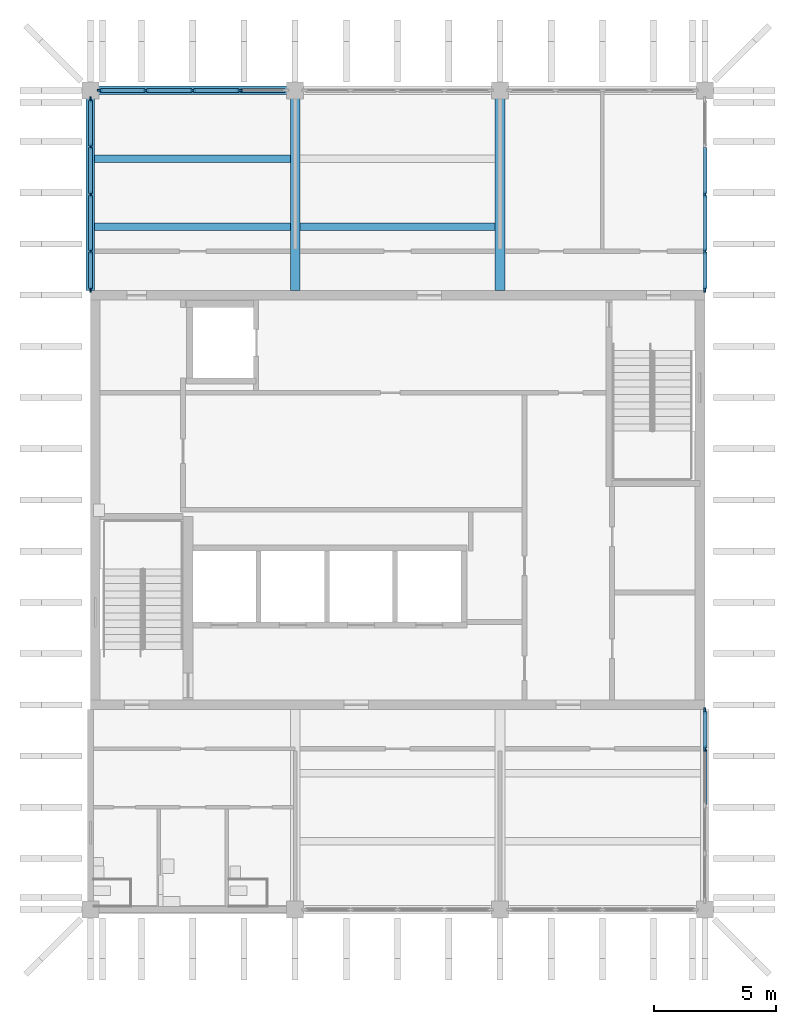
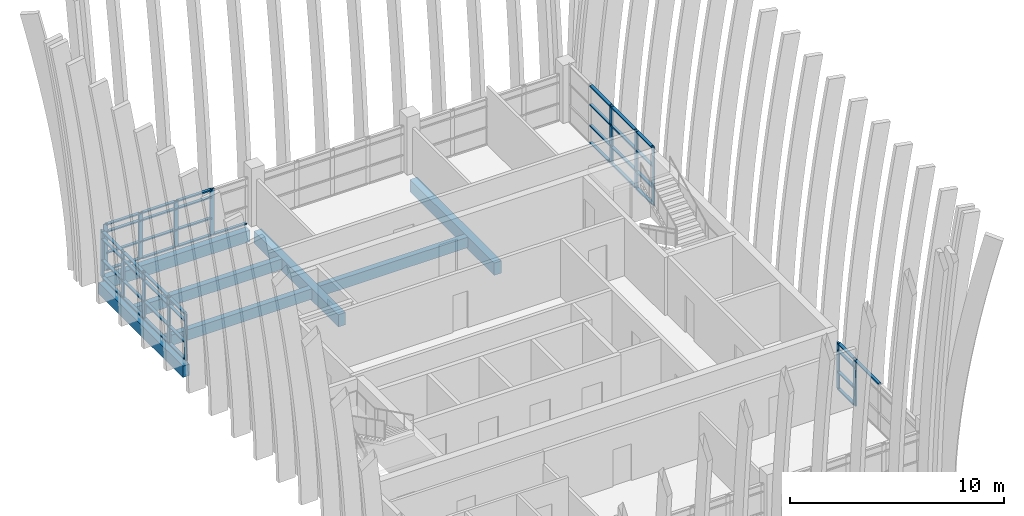
# One storey, part 2 of 19: 60 members, 7 beams, 4 elements without a shape of their own.
"""IFC4 building model written with IfcOpenShell, lengths in metres."""

from ifc_helpers import new_model, si_unit, direction, frame, origin, origin_2d, place, context, subcontext, project, spatial, rectangle, extrude, material, layer, layer_set, material_profile, profile_set, type_object, element, aggregate, save


model = new_model("IFC4")

# Units and contexts
model_context = context("Model", 3, precision=1e-05, world=origin(), true_north=direction((0.0, 1.0)))
body_context = subcontext(model_context, "Body", "Model", "MODEL_VIEW")
ifc_project = project(units=[si_unit("LENGTHUNIT", "METRE"), si_unit("AREAUNIT", "SQUARE_METRE"), si_unit("VOLUMEUNIT", "CUBIC_METRE"), si_unit("PLANEANGLEUNIT", "RADIAN"), si_unit("MASSUNIT", "GRAM", prefix="KILO")], contexts=[model_context])

# Site, building, storey
site_placement = place(None, origin())
site = spatial("IfcSite", under=ifc_project, at=site_placement, CompositionType="ELEMENT")
building_placement = place(site_placement, origin())
building = spatial("IfcBuilding", under=site, at=building_placement, Name="Rulbaag Community and Learning Centre", CompositionType="ELEMENT")
storey_placement = place(building_placement, frame((0.0, 0.0, 57.60009765625)))
storey = spatial("IfcBuildingStorey", under=building, at=storey_placement, Name="L15", CompositionType="ELEMENT", Elevation=57.60009765625)

# Beams
ifc_material_1 = material(Name="Concrete M40", Category="concrete")
ifc_material_profile_1 = material_profile(ifc_material_1, rectangle(XDim=0.39990234375, YDim=0.699951171875, at=origin_2d()), Name="RB400x700")
ifc_profile_set_1 = profile_set([ifc_material_profile_1], Name="Concrete M40")
beam_type_1 = type_object("IfcBeamType", Name="B13 Tower floor beam, upper zone 400x700 Concrete M40", PredefinedType="BEAM", material=ifc_profile_set_1)
for number, where, z_axis, x_axis, name in (
    (1, (151.199951171875, 109.39990234375, -0.650146484375), (0.0, 1.0, 0.0), (-1.0, 0.0, 0.0), "BM-L15-19N-19O"),
    (2, (159.60009765625, 109.39990234375, -0.650146484375), (0.0, 1.0, 0.0), (-1.0, 0.0, 0.0), "BM-L15-20N-20O"),
):
    element("IfcBeam", number, at=place(storey_placement, frame(where, z_axis=z_axis, x_axis=x_axis)), inside=storey, type_object=beam_type_1, Name=name, PredefinedType="BEAM", context=body_context, shape_type="SweptSolid", body=[
        extrude(rectangle(XDim=0.39990234375, YDim=0.699951171875, at=origin_2d()), origin(), (0.0, 0.0, 1.0), 7.8701171875),
    ])
ifc_material_profile_2 = material_profile(ifc_material_1, rectangle(XDim=0.35009765625, YDim=0.64990234375, at=origin_2d()), Name="RB350x650")
ifc_profile_set_2 = profile_set([ifc_material_profile_2], Name="Concrete M40")
beam_type_2 = type_object("IfcBeamType", Name="B14 Tower edge beam, upper zone 350x650 Concrete M40", PredefinedType="BEAM", material=ifc_profile_set_2)
beam_1_placement = place(storey_placement, frame((142.800048828125, 109.39990234375, -0.625), z_axis=(0.0, 1.0, 0.0), x_axis=(-1.0, 0.0, 0.0)))
element("IfcBeam", 3, at=beam_1_placement, inside=storey, type_object=beam_type_2, Name="BM-L15-18N-18O", PredefinedType="BEAM", context=body_context, shape_type="SweptSolid", body=[
    extrude(rectangle(XDim=0.35009765625, YDim=0.64990234375, at=origin_2d()), origin(), (0.0, 0.0, 1.0), 7.8701171875),
])
beam_2_placement = place(storey_placement, frame((143.1298828125, 117.60009765625, -0.625), z_axis=(1.0, 0.0, 0.0), x_axis=(0.0, 1.0, 0.0)))
element("IfcBeam", 4, at=beam_2_placement, inside=storey, type_object=beam_type_2, Name="BM-L15-18O-19O", PredefinedType="BEAM", context=body_context, shape_type="SweptSolid", body=[
    extrude(rectangle(XDim=0.35009765625, YDim=0.64990234375, at=origin_2d()), origin(), (0.0, 0.0, 1.0), 7.740234375),
])
ifc_material_profile_3 = material_profile(ifc_material_1, rectangle(XDim=0.300048828125, YDim=0.60009765625, at=origin_2d()), Name="RB300x600")
ifc_profile_set_3 = profile_set([ifc_material_profile_3], Name="Concrete M40")
beam_type_3 = type_object("IfcBeamType", Name="B30 Secondary joist 300x600 Concrete M40", PredefinedType="BEAM", material=ifc_profile_set_3)
for number, where, z_axis, x_axis, name in (
    (5, (142.97509765625, 112.0, -0.60009765625), (1.0, 0.0, 0.0), (0.0, 1.0, 0.0), "BM-JS-L15-18N-1"),
    (6, (142.97509765625, 114.800048828125, -0.60009765625), (1.0, 0.0, 0.0), (0.0, 1.0, 0.0), "BM-JS-L15-18N-2"),
):
    element("IfcBeam", number, at=place(storey_placement, frame(where, z_axis=z_axis, x_axis=x_axis)), inside=storey, type_object=beam_type_3, Name=name, PredefinedType="BEAM", context=body_context, shape_type="SweptSolid", body=[
        extrude(rectangle(XDim=0.300048828125, YDim=0.60009765625, at=origin_2d()), origin(), (0.0, 0.0, 1.0), 8.02490234375),
    ])
beam_3_placement = place(storey_placement, frame((151.39990234375, 112.0, -0.60009765625), z_axis=(1.0, 0.0, 0.0), x_axis=(0.0, 1.0, 0.0)))
element("IfcBeam", 7, at=beam_3_placement, inside=storey, type_object=beam_type_3, Name="BM-JS-L15-19N-1", PredefinedType="BEAM", context=body_context, shape_type="SweptSolid", body=[
    extrude(rectangle(XDim=0.300048828125, YDim=0.60009765625, at=origin_2d()), origin(), (0.0, 0.0, 1.0), 8.0),
])

# Curtain wall, members
ifc_material_2 = material(Name="Aluminium", Category="aluminium")
ifc_layer = layer(ifc_material_2, 0.14990234375)
ifc_layer_set = layer_set([ifc_layer], Name="CW-C")
curtain_wall_type = type_object("IfcCurtainWallType", Name="CW-C", PredefinedType="USERDEFINED", material=ifc_layer_set)
curtain_wall_1_placement = place(storey_placement, origin())
curtain_wall_1 = element("IfcCurtainWall", 8, at=curtain_wall_1_placement, inside=storey, type_object=curtain_wall_type, Name="GC-L15-03", ObjectType="UNITISED CURTAIN WALL", PredefinedType="USERDEFINED")
ifc_material_3 = material(Name="Aluminium mullion", Category="aluminium")
ifc_material_profile_4 = material_profile(ifc_material_3, rectangle(XDim=0.070068359375, YDim=0.22509765625, at=origin_2d()), Name="AL 70x225")
ifc_profile_set_4 = profile_set([ifc_material_profile_4], Name="Aluminium mullion")
member_type_1 = type_object("IfcMemberType", Name="CW-C-MUL", PredefinedType="MULLION", material=ifc_profile_set_4)
member_1_placement = place(storey_placement, frame((143.18505859375, 117.60009765625, 0.0), z_axis=(0.0, 0.0, 1.0), x_axis=(0.0, 1.0, 0.0)))
member_1 = element("IfcMember", 9, at=member_1_placement, type_object=member_type_1, Name="GC mullion 1", PredefinedType="MULLION", context=body_context, shape_type="SweptSolid", body=[
    extrude(rectangle(XDim=0.070068359375, YDim=0.22509765625, at=origin_2d()), origin(), (0.0, 0.0, 1.0), 2.64990234375),
])
member_2_placement = place(storey_placement, frame((145.074951171875, 117.60009765625, 0.0), z_axis=(0.0, 0.0, 1.0), x_axis=(0.0, 1.0, 0.0)))
member_2 = element("IfcMember", 10, at=member_2_placement, type_object=member_type_1, Name="GC mullion 2", PredefinedType="MULLION", context=body_context, shape_type="SweptSolid", body=[
    extrude(rectangle(XDim=0.070068359375, YDim=0.22509765625, at=origin_2d()), origin(), (0.0, 0.0, 1.0), 2.64990234375),
])
member_3_placement = place(storey_placement, frame((147.0, 117.60009765625, 0.0), z_axis=(0.0, 0.0, 1.0), x_axis=(0.0, 1.0, 0.0)))
member_3 = element("IfcMember", 11, at=member_3_placement, type_object=member_type_1, Name="GC mullion 3", PredefinedType="MULLION", context=body_context, shape_type="SweptSolid", body=[
    extrude(rectangle(XDim=0.070068359375, YDim=0.22509765625, at=origin_2d()), origin(), (0.0, 0.0, 1.0), 2.64990234375),
])
member_4_placement = place(storey_placement, frame((148.925048828125, 117.60009765625, 0.0), z_axis=(0.0, 0.0, 1.0), x_axis=(0.0, 1.0, 0.0)))
member_4 = element("IfcMember", 12, at=member_4_placement, type_object=member_type_1, Name="GC mullion 4", PredefinedType="MULLION", context=body_context, shape_type="SweptSolid", body=[
    extrude(rectangle(XDim=0.070068359375, YDim=0.22509765625, at=origin_2d()), origin(), (0.0, 0.0, 1.0), 2.64990234375),
])

curtain_wall_2_placement = place(storey_placement, origin())
curtain_wall_2 = element("IfcCurtainWall", 13, at=curtain_wall_2_placement, inside=storey, type_object=curtain_wall_type, Name="GC-L15-06", ObjectType="UNITISED CURTAIN WALL", PredefinedType="USERDEFINED")
member_5_placement = place(storey_placement, frame((142.800048828125, 109.43505859375, 0.0), z_axis=(0.0, 0.0, 1.0), x_axis=(-1.0, 0.0, 0.0)))
member_5 = element("IfcMember", 14, at=member_5_placement, type_object=member_type_1, Name="GC mullion 1", PredefinedType="MULLION", context=body_context, shape_type="SweptSolid", body=[
    extrude(rectangle(XDim=0.070068359375, YDim=0.22509765625, at=origin_2d()), origin(), (0.0, 0.0, 1.0), 2.64990234375),
])
member_6_placement = place(storey_placement, frame((142.800048828125, 111.0, 0.0), z_axis=(0.0, 0.0, 1.0), x_axis=(-1.0, 0.0, 0.0)))
member_6 = element("IfcMember", 15, at=member_6_placement, type_object=member_type_1, Name="GC mullion 2", PredefinedType="MULLION", context=body_context, shape_type="SweptSolid", body=[
    extrude(rectangle(XDim=0.070068359375, YDim=0.22509765625, at=origin_2d()), origin(), (0.0, 0.0, 1.0), 2.64990234375),
])
member_7_placement = place(storey_placement, frame((142.800048828125, 113.324951171875, 0.0), z_axis=(0.0, 0.0, 1.0), x_axis=(-1.0, 0.0, 0.0)))
member_7 = element("IfcMember", 16, at=member_7_placement, type_object=member_type_1, Name="GC mullion 3", PredefinedType="MULLION", context=body_context, shape_type="SweptSolid", body=[
    extrude(rectangle(XDim=0.070068359375, YDim=0.22509765625, at=origin_2d()), origin(), (0.0, 0.0, 1.0), 2.64990234375),
])
member_8_placement = place(storey_placement, frame((142.800048828125, 115.28759765625, 0.0), z_axis=(0.0, 0.0, 1.0), x_axis=(-1.0, 0.0, 0.0)))
member_8 = element("IfcMember", 17, at=member_8_placement, type_object=member_type_1, Name="GC mullion 4", PredefinedType="MULLION", context=body_context, shape_type="SweptSolid", body=[
    extrude(rectangle(XDim=0.070068359375, YDim=0.22509765625, at=origin_2d()), origin(), (0.0, 0.0, 1.0), 2.64990234375),
])
member_9_placement = place(storey_placement, frame((142.800048828125, 117.215087890625, 0.0), z_axis=(0.0, 0.0, 1.0), x_axis=(-1.0, 0.0, 0.0)))
member_9 = element("IfcMember", 18, at=member_9_placement, type_object=member_type_1, Name="GC mullion 5", PredefinedType="MULLION", context=body_context, shape_type="SweptSolid", body=[
    extrude(rectangle(XDim=0.070068359375, YDim=0.22509765625, at=origin_2d()), origin(), (0.0, 0.0, 1.0), 2.64990234375),
])

curtain_wall_3_placement = place(storey_placement, origin())
curtain_wall_3 = element("IfcCurtainWall", 19, at=curtain_wall_3_placement, inside=storey, type_object=curtain_wall_type, Name="GC-L15-07", ObjectType="UNITISED CURTAIN WALL", PredefinedType="USERDEFINED")
member_10_placement = place(storey_placement, frame((168.0, 90.60009765625, 0.0), z_axis=(0.0, 0.0, 1.0), x_axis=(-1.0, 0.0, 0.0)))
member_10 = element("IfcMember", 20, at=member_10_placement, type_object=member_type_1, Name="GC mullion 4", PredefinedType="MULLION", context=body_context, shape_type="SweptSolid", body=[
    extrude(rectangle(XDim=0.070068359375, YDim=0.22509765625, at=origin_2d()), origin(), (0.0, 0.0, 1.0), 2.64990234375),
])
member_11_placement = place(storey_placement, frame((168.0, 92.1650390625, 0.0), z_axis=(0.0, 0.0, 1.0), x_axis=(-1.0, 0.0, 0.0)))
member_11 = element("IfcMember", 21, at=member_11_placement, type_object=member_type_1, Name="GC mullion 5", PredefinedType="MULLION", context=body_context, shape_type="SweptSolid", body=[
    extrude(rectangle(XDim=0.070068359375, YDim=0.22509765625, at=origin_2d()), origin(), (0.0, 0.0, 1.0), 2.64990234375),
])

curtain_wall_4_placement = place(storey_placement, origin())
curtain_wall_4 = element("IfcCurtainWall", 22, at=curtain_wall_4_placement, inside=storey, type_object=curtain_wall_type, Name="GC-L15-08", ObjectType="UNITISED CURTAIN WALL", PredefinedType="USERDEFINED")
member_12_placement = place(storey_placement, frame((168.0, 109.43505859375, 0.0), z_axis=(0.0, 0.0, 1.0), x_axis=(-1.0, 0.0, 0.0)))
member_12 = element("IfcMember", 23, at=member_12_placement, type_object=member_type_1, Name="GC mullion 1", PredefinedType="MULLION", context=body_context, shape_type="SweptSolid", body=[
    extrude(rectangle(XDim=0.070068359375, YDim=0.22509765625, at=origin_2d()), origin(), (0.0, 0.0, 1.0), 3.2998046875),
])
member_13_placement = place(storey_placement, frame((168.0, 111.0, 0.0), z_axis=(0.0, 0.0, 1.0), x_axis=(-1.0, 0.0, 0.0)))
member_13 = element("IfcMember", 24, at=member_13_placement, type_object=member_type_1, Name="GC mullion 2", PredefinedType="MULLION", context=body_context, shape_type="SweptSolid", body=[
    extrude(rectangle(XDim=0.070068359375, YDim=0.22509765625, at=origin_2d()), origin(), (0.0, 0.0, 1.0), 3.2998046875),
])
member_14_placement = place(storey_placement, frame((168.0, 113.324951171875, 0.0), z_axis=(0.0, 0.0, 1.0), x_axis=(-1.0, 0.0, 0.0)))
member_14 = element("IfcMember", 25, at=member_14_placement, type_object=member_type_1, Name="GC mullion 3", PredefinedType="MULLION", context=body_context, shape_type="SweptSolid", body=[
    extrude(rectangle(XDim=0.070068359375, YDim=0.22509765625, at=origin_2d()), origin(), (0.0, 0.0, 1.0), 3.2998046875),
])

# Member
ifc_material_4 = material(Name="Aluminium transom", Category="aluminium")
ifc_material_profile_5 = material_profile(ifc_material_4, rectangle(XDim=0.159912109375, YDim=0.070068359375, at=origin_2d()), Name="AL 70x160 T")
ifc_profile_set_5 = profile_set([ifc_material_profile_5], Name="Aluminium transom")
member_type_2 = type_object("IfcMemberType", Name="CW-C-TRN", PredefinedType="USERDEFINED", material=ifc_profile_set_5)
member_15_placement = place(storey_placement, frame((143.219970703125, 117.60009765625, 0.034912109375), z_axis=(1.0, 0.0, 0.0), x_axis=(0.0, 1.0, 0.0)))
member_15 = element("IfcMember", 26, at=member_15_placement, type_object=member_type_2, Name="GC transom 1.1", ObjectType="TRANSOM", PredefinedType="USERDEFINED", context=body_context, shape_type="SweptSolid", body=[
    extrude(rectangle(XDim=0.159912109375, YDim=0.070068359375, at=origin_2d()), origin(), (0.0, 0.0, 1.0), 1.820068359375),
])

member_16_placement = place(storey_placement, frame((143.219970703125, 117.60009765625, 1.0), z_axis=(1.0, 0.0, 0.0), x_axis=(0.0, 1.0, 0.0)))
member_16 = element("IfcMember", 27, at=member_16_placement, type_object=member_type_2, Name="GC transom 1.2", ObjectType="TRANSOM", PredefinedType="USERDEFINED", context=body_context, shape_type="SweptSolid", body=[
    extrude(rectangle(XDim=0.159912109375, YDim=0.070068359375, at=origin_2d()), origin(), (0.0, 0.0, 1.0), 1.820068359375),
])

member_17_placement = place(storey_placement, frame((143.219970703125, 117.60009765625, 2.199951171875), z_axis=(1.0, 0.0, 0.0), x_axis=(0.0, 1.0, 0.0)))
member_17 = element("IfcMember", 28, at=member_17_placement, type_object=member_type_2, Name="GC transom 1.3", ObjectType="TRANSOM", PredefinedType="USERDEFINED", context=body_context, shape_type="SweptSolid", body=[
    extrude(rectangle(XDim=0.159912109375, YDim=0.070068359375, at=origin_2d()), origin(), (0.0, 0.0, 1.0), 1.820068359375),
])

member_18_placement = place(storey_placement, frame((143.219970703125, 117.60009765625, 2.614990234375), z_axis=(1.0, 0.0, 0.0), x_axis=(0.0, 1.0, 0.0)))
member_18 = element("IfcMember", 29, at=member_18_placement, type_object=member_type_2, Name="GC transom 1.4", ObjectType="TRANSOM", PredefinedType="USERDEFINED", context=body_context, shape_type="SweptSolid", body=[
    extrude(rectangle(XDim=0.159912109375, YDim=0.070068359375, at=origin_2d()), origin(), (0.0, 0.0, 1.0), 1.820068359375),
])

member_19_placement = place(storey_placement, frame((145.110107421875, 117.60009765625, 0.034912109375), z_axis=(1.0, 0.0, 0.0), x_axis=(0.0, 1.0, 0.0)))
member_19 = element("IfcMember", 30, at=member_19_placement, type_object=member_type_2, Name="GC transom 2.1", ObjectType="TRANSOM", PredefinedType="USERDEFINED", context=body_context, shape_type="SweptSolid", body=[
    extrude(rectangle(XDim=0.159912109375, YDim=0.070068359375, at=origin_2d()), origin(), (0.0, 0.0, 1.0), 1.85498046875),
])

member_20_placement = place(storey_placement, frame((145.110107421875, 117.60009765625, 1.0), z_axis=(1.0, 0.0, 0.0), x_axis=(0.0, 1.0, 0.0)))
member_20 = element("IfcMember", 31, at=member_20_placement, type_object=member_type_2, Name="GC transom 2.2", ObjectType="TRANSOM", PredefinedType="USERDEFINED", context=body_context, shape_type="SweptSolid", body=[
    extrude(rectangle(XDim=0.159912109375, YDim=0.070068359375, at=origin_2d()), origin(), (0.0, 0.0, 1.0), 1.85498046875),
])

member_21_placement = place(storey_placement, frame((145.110107421875, 117.60009765625, 2.199951171875), z_axis=(1.0, 0.0, 0.0), x_axis=(0.0, 1.0, 0.0)))
member_21 = element("IfcMember", 32, at=member_21_placement, type_object=member_type_2, Name="GC transom 2.3", ObjectType="TRANSOM", PredefinedType="USERDEFINED", context=body_context, shape_type="SweptSolid", body=[
    extrude(rectangle(XDim=0.159912109375, YDim=0.070068359375, at=origin_2d()), origin(), (0.0, 0.0, 1.0), 1.85498046875),
])

member_22_placement = place(storey_placement, frame((145.110107421875, 117.60009765625, 2.614990234375), z_axis=(1.0, 0.0, 0.0), x_axis=(0.0, 1.0, 0.0)))
member_22 = element("IfcMember", 33, at=member_22_placement, type_object=member_type_2, Name="GC transom 2.4", ObjectType="TRANSOM", PredefinedType="USERDEFINED", context=body_context, shape_type="SweptSolid", body=[
    extrude(rectangle(XDim=0.159912109375, YDim=0.070068359375, at=origin_2d()), origin(), (0.0, 0.0, 1.0), 1.85498046875),
])

member_23_placement = place(storey_placement, frame((147.034912109375, 117.60009765625, 0.034912109375), z_axis=(1.0, 0.0, 0.0), x_axis=(0.0, 1.0, 0.0)))
member_23 = element("IfcMember", 34, at=member_23_placement, type_object=member_type_2, Name="GC transom 3.1", ObjectType="TRANSOM", PredefinedType="USERDEFINED", context=body_context, shape_type="SweptSolid", body=[
    extrude(rectangle(XDim=0.159912109375, YDim=0.070068359375, at=origin_2d()), origin(), (0.0, 0.0, 1.0), 1.85498046875),
])

member_24_placement = place(storey_placement, frame((147.034912109375, 117.60009765625, 1.0), z_axis=(1.0, 0.0, 0.0), x_axis=(0.0, 1.0, 0.0)))
member_24 = element("IfcMember", 35, at=member_24_placement, type_object=member_type_2, Name="GC transom 3.2", ObjectType="TRANSOM", PredefinedType="USERDEFINED", context=body_context, shape_type="SweptSolid", body=[
    extrude(rectangle(XDim=0.159912109375, YDim=0.070068359375, at=origin_2d()), origin(), (0.0, 0.0, 1.0), 1.85498046875),
])

member_25_placement = place(storey_placement, frame((147.034912109375, 117.60009765625, 2.199951171875), z_axis=(1.0, 0.0, 0.0), x_axis=(0.0, 1.0, 0.0)))
member_25 = element("IfcMember", 36, at=member_25_placement, type_object=member_type_2, Name="GC transom 3.3", ObjectType="TRANSOM", PredefinedType="USERDEFINED", context=body_context, shape_type="SweptSolid", body=[
    extrude(rectangle(XDim=0.159912109375, YDim=0.070068359375, at=origin_2d()), origin(), (0.0, 0.0, 1.0), 1.85498046875),
])

member_26_placement = place(storey_placement, frame((147.034912109375, 117.60009765625, 2.614990234375), z_axis=(1.0, 0.0, 0.0), x_axis=(0.0, 1.0, 0.0)))
member_26 = element("IfcMember", 37, at=member_26_placement, type_object=member_type_2, Name="GC transom 3.4", ObjectType="TRANSOM", PredefinedType="USERDEFINED", context=body_context, shape_type="SweptSolid", body=[
    extrude(rectangle(XDim=0.159912109375, YDim=0.070068359375, at=origin_2d()), origin(), (0.0, 0.0, 1.0), 1.85498046875),
])

member_27_placement = place(storey_placement, frame((148.9599609375, 117.60009765625, 0.034912109375), z_axis=(1.0, 0.0, 0.0), x_axis=(0.0, 1.0, 0.0)))
member_27 = element("IfcMember", 38, at=member_27_placement, type_object=member_type_2, Name="GC transom 4.1", ObjectType="TRANSOM", PredefinedType="USERDEFINED", context=body_context, shape_type="SweptSolid", body=[
    extrude(rectangle(XDim=0.159912109375, YDim=0.070068359375, at=origin_2d()), origin(), (0.0, 0.0, 1.0), 1.820068359375),
])

aggregate(curtain_wall_1, [member_1, member_2, member_3, member_4, member_15, member_16, member_17, member_18, member_19, member_20, member_21, member_22, member_23, member_24, member_25, member_26, member_27])

member_28_placement = place(storey_placement, frame((142.800048828125, 109.469970703125, 0.034912109375), z_axis=(0.0, 1.0, 0.0), x_axis=(-1.0, 0.0, 0.0)))
member_28 = element("IfcMember", 39, at=member_28_placement, type_object=member_type_2, Name="GC transom 1.1", ObjectType="TRANSOM", PredefinedType="USERDEFINED", context=body_context, shape_type="SweptSolid", body=[
    extrude(rectangle(XDim=0.159912109375, YDim=0.070068359375, at=origin_2d()), origin(), (0.0, 0.0, 1.0), 1.4951171875),
])

member_29_placement = place(storey_placement, frame((142.800048828125, 109.469970703125, 1.0), z_axis=(0.0, 1.0, 0.0), x_axis=(-1.0, 0.0, 0.0)))
member_29 = element("IfcMember", 40, at=member_29_placement, type_object=member_type_2, Name="GC transom 1.2", ObjectType="TRANSOM", PredefinedType="USERDEFINED", context=body_context, shape_type="SweptSolid", body=[
    extrude(rectangle(XDim=0.159912109375, YDim=0.070068359375, at=origin_2d()), origin(), (0.0, 0.0, 1.0), 1.4951171875),
])

member_30_placement = place(storey_placement, frame((142.800048828125, 109.469970703125, 2.199951171875), z_axis=(0.0, 1.0, 0.0), x_axis=(-1.0, 0.0, 0.0)))
member_30 = element("IfcMember", 41, at=member_30_placement, type_object=member_type_2, Name="GC transom 1.3", ObjectType="TRANSOM", PredefinedType="USERDEFINED", context=body_context, shape_type="SweptSolid", body=[
    extrude(rectangle(XDim=0.159912109375, YDim=0.070068359375, at=origin_2d()), origin(), (0.0, 0.0, 1.0), 1.4951171875),
])

member_31_placement = place(storey_placement, frame((142.800048828125, 109.469970703125, 2.614990234375), z_axis=(0.0, 1.0, 0.0), x_axis=(-1.0, 0.0, 0.0)))
member_31 = element("IfcMember", 42, at=member_31_placement, type_object=member_type_2, Name="GC transom 1.4", ObjectType="TRANSOM", PredefinedType="USERDEFINED", context=body_context, shape_type="SweptSolid", body=[
    extrude(rectangle(XDim=0.159912109375, YDim=0.070068359375, at=origin_2d()), origin(), (0.0, 0.0, 1.0), 1.4951171875),
])

member_32_placement = place(storey_placement, frame((142.800048828125, 111.034912109375, 0.034912109375), z_axis=(0.0, 1.0, 0.0), x_axis=(-1.0, 0.0, 0.0)))
member_32 = element("IfcMember", 43, at=member_32_placement, type_object=member_type_2, Name="GC transom 2.1", ObjectType="TRANSOM", PredefinedType="USERDEFINED", context=body_context, shape_type="SweptSolid", body=[
    extrude(rectangle(XDim=0.159912109375, YDim=0.070068359375, at=origin_2d()), origin(), (0.0, 0.0, 1.0), 2.255126953125),
])

member_33_placement = place(storey_placement, frame((142.800048828125, 111.034912109375, 1.0), z_axis=(0.0, 1.0, 0.0), x_axis=(-1.0, 0.0, 0.0)))
member_33 = element("IfcMember", 44, at=member_33_placement, type_object=member_type_2, Name="GC transom 2.2", ObjectType="TRANSOM", PredefinedType="USERDEFINED", context=body_context, shape_type="SweptSolid", body=[
    extrude(rectangle(XDim=0.159912109375, YDim=0.070068359375, at=origin_2d()), origin(), (0.0, 0.0, 1.0), 2.255126953125),
])

member_34_placement = place(storey_placement, frame((142.800048828125, 111.034912109375, 2.199951171875), z_axis=(0.0, 1.0, 0.0), x_axis=(-1.0, 0.0, 0.0)))
member_34 = element("IfcMember", 45, at=member_34_placement, type_object=member_type_2, Name="GC transom 2.3", ObjectType="TRANSOM", PredefinedType="USERDEFINED", context=body_context, shape_type="SweptSolid", body=[
    extrude(rectangle(XDim=0.159912109375, YDim=0.070068359375, at=origin_2d()), origin(), (0.0, 0.0, 1.0), 2.255126953125),
])

member_35_placement = place(storey_placement, frame((142.800048828125, 111.034912109375, 2.614990234375), z_axis=(0.0, 1.0, 0.0), x_axis=(-1.0, 0.0, 0.0)))
member_35 = element("IfcMember", 46, at=member_35_placement, type_object=member_type_2, Name="GC transom 2.4", ObjectType="TRANSOM", PredefinedType="USERDEFINED", context=body_context, shape_type="SweptSolid", body=[
    extrude(rectangle(XDim=0.159912109375, YDim=0.070068359375, at=origin_2d()), origin(), (0.0, 0.0, 1.0), 2.255126953125),
])

member_36_placement = place(storey_placement, frame((142.800048828125, 113.360107421875, 0.034912109375), z_axis=(0.0, 1.0, 0.0), x_axis=(-1.0, 0.0, 0.0)))
member_36 = element("IfcMember", 47, at=member_36_placement, type_object=member_type_2, Name="GC transom 3.1", ObjectType="TRANSOM", PredefinedType="USERDEFINED", context=body_context, shape_type="SweptSolid", body=[
    extrude(rectangle(XDim=0.159912109375, YDim=0.070068359375, at=origin_2d()), origin(), (0.0, 0.0, 1.0), 1.892333984375),
])

member_37_placement = place(storey_placement, frame((142.800048828125, 113.360107421875, 1.0), z_axis=(0.0, 1.0, 0.0), x_axis=(-1.0, 0.0, 0.0)))
member_37 = element("IfcMember", 48, at=member_37_placement, type_object=member_type_2, Name="GC transom 3.2", ObjectType="TRANSOM", PredefinedType="USERDEFINED", context=body_context, shape_type="SweptSolid", body=[
    extrude(rectangle(XDim=0.159912109375, YDim=0.070068359375, at=origin_2d()), origin(), (0.0, 0.0, 1.0), 1.892333984375),
])

member_38_placement = place(storey_placement, frame((142.800048828125, 113.360107421875, 2.199951171875), z_axis=(0.0, 1.0, 0.0), x_axis=(-1.0, 0.0, 0.0)))
member_38 = element("IfcMember", 49, at=member_38_placement, type_object=member_type_2, Name="GC transom 3.3", ObjectType="TRANSOM", PredefinedType="USERDEFINED", context=body_context, shape_type="SweptSolid", body=[
    extrude(rectangle(XDim=0.159912109375, YDim=0.070068359375, at=origin_2d()), origin(), (0.0, 0.0, 1.0), 1.892333984375),
])

member_39_placement = place(storey_placement, frame((142.800048828125, 113.360107421875, 2.614990234375), z_axis=(0.0, 1.0, 0.0), x_axis=(-1.0, 0.0, 0.0)))
member_39 = element("IfcMember", 50, at=member_39_placement, type_object=member_type_2, Name="GC transom 3.4", ObjectType="TRANSOM", PredefinedType="USERDEFINED", context=body_context, shape_type="SweptSolid", body=[
    extrude(rectangle(XDim=0.159912109375, YDim=0.070068359375, at=origin_2d()), origin(), (0.0, 0.0, 1.0), 1.892333984375),
])

member_40_placement = place(storey_placement, frame((142.800048828125, 115.322509765625, 0.034912109375), z_axis=(0.0, 1.0, 0.0), x_axis=(-1.0, 0.0, 0.0)))
member_40 = element("IfcMember", 51, at=member_40_placement, type_object=member_type_2, Name="GC transom 4.1", ObjectType="TRANSOM", PredefinedType="USERDEFINED", context=body_context, shape_type="SweptSolid", body=[
    extrude(rectangle(XDim=0.159912109375, YDim=0.070068359375, at=origin_2d()), origin(), (0.0, 0.0, 1.0), 1.857421875),
])

member_41_placement = place(storey_placement, frame((142.800048828125, 115.322509765625, 1.0), z_axis=(0.0, 1.0, 0.0), x_axis=(-1.0, 0.0, 0.0)))
member_41 = element("IfcMember", 52, at=member_41_placement, type_object=member_type_2, Name="GC transom 4.2", ObjectType="TRANSOM", PredefinedType="USERDEFINED", context=body_context, shape_type="SweptSolid", body=[
    extrude(rectangle(XDim=0.159912109375, YDim=0.070068359375, at=origin_2d()), origin(), (0.0, 0.0, 1.0), 1.857421875),
])

member_42_placement = place(storey_placement, frame((142.800048828125, 115.322509765625, 2.199951171875), z_axis=(0.0, 1.0, 0.0), x_axis=(-1.0, 0.0, 0.0)))
member_42 = element("IfcMember", 53, at=member_42_placement, type_object=member_type_2, Name="GC transom 4.3", ObjectType="TRANSOM", PredefinedType="USERDEFINED", context=body_context, shape_type="SweptSolid", body=[
    extrude(rectangle(XDim=0.159912109375, YDim=0.070068359375, at=origin_2d()), origin(), (0.0, 0.0, 1.0), 1.857421875),
])

member_43_placement = place(storey_placement, frame((142.800048828125, 115.322509765625, 2.614990234375), z_axis=(0.0, 1.0, 0.0), x_axis=(-1.0, 0.0, 0.0)))
member_43 = element("IfcMember", 54, at=member_43_placement, type_object=member_type_2, Name="GC transom 4.4", ObjectType="TRANSOM", PredefinedType="USERDEFINED", context=body_context, shape_type="SweptSolid", body=[
    extrude(rectangle(XDim=0.159912109375, YDim=0.070068359375, at=origin_2d()), origin(), (0.0, 0.0, 1.0), 1.857421875),
])

aggregate(curtain_wall_2, [member_5, member_6, member_7, member_8, member_9, member_28, member_29, member_30, member_31, member_32, member_33, member_34, member_35, member_36, member_37, member_38, member_39, member_40, member_41, member_42, member_43])

member_44_placement = place(storey_placement, frame((168.0, 88.31005859375, 2.614990234375), z_axis=(0.0, 1.0, 0.0), x_axis=(-1.0, 0.0, 0.0)))
member_44 = element("IfcMember", 55, at=member_44_placement, type_object=member_type_2, Name="GC transom 3.4", ObjectType="TRANSOM", PredefinedType="USERDEFINED", context=body_context, shape_type="SweptSolid", body=[
    extrude(rectangle(XDim=0.159912109375, YDim=0.070068359375, at=origin_2d()), origin(), (0.0, 0.0, 1.0), 2.2548828125),
])

member_45_placement = place(storey_placement, frame((168.0, 90.635009765625, 0.034912109375), z_axis=(0.0, 1.0, 0.0), x_axis=(-1.0, 0.0, 0.0)))
member_45 = element("IfcMember", 56, at=member_45_placement, type_object=member_type_2, Name="GC transom 4.1", ObjectType="TRANSOM", PredefinedType="USERDEFINED", context=body_context, shape_type="SweptSolid", body=[
    extrude(rectangle(XDim=0.159912109375, YDim=0.070068359375, at=origin_2d()), origin(), (0.0, 0.0, 1.0), 1.494873046875),
])

member_46_placement = place(storey_placement, frame((168.0, 90.635009765625, 1.0), z_axis=(0.0, 1.0, 0.0), x_axis=(-1.0, 0.0, 0.0)))
member_46 = element("IfcMember", 57, at=member_46_placement, type_object=member_type_2, Name="GC transom 4.2", ObjectType="TRANSOM", PredefinedType="USERDEFINED", context=body_context, shape_type="SweptSolid", body=[
    extrude(rectangle(XDim=0.159912109375, YDim=0.070068359375, at=origin_2d()), origin(), (0.0, 0.0, 1.0), 1.494873046875),
])

member_47_placement = place(storey_placement, frame((168.0, 90.635009765625, 2.199951171875), z_axis=(0.0, 1.0, 0.0), x_axis=(-1.0, 0.0, 0.0)))
member_47 = element("IfcMember", 58, at=member_47_placement, type_object=member_type_2, Name="GC transom 4.3", ObjectType="TRANSOM", PredefinedType="USERDEFINED", context=body_context, shape_type="SweptSolid", body=[
    extrude(rectangle(XDim=0.159912109375, YDim=0.070068359375, at=origin_2d()), origin(), (0.0, 0.0, 1.0), 1.494873046875),
])

member_48_placement = place(storey_placement, frame((168.0, 90.635009765625, 2.614990234375), z_axis=(0.0, 1.0, 0.0), x_axis=(-1.0, 0.0, 0.0)))
member_48 = element("IfcMember", 59, at=member_48_placement, type_object=member_type_2, Name="GC transom 4.4", ObjectType="TRANSOM", PredefinedType="USERDEFINED", context=body_context, shape_type="SweptSolid", body=[
    extrude(rectangle(XDim=0.159912109375, YDim=0.070068359375, at=origin_2d()), origin(), (0.0, 0.0, 1.0), 1.494873046875),
])

aggregate(curtain_wall_3, [member_10, member_11, member_44, member_45, member_46, member_47, member_48])

member_49_placement = place(storey_placement, frame((168.0, 109.469970703125, 0.034912109375), z_axis=(0.0, 1.0, 0.0), x_axis=(-1.0, 0.0, 0.0)))
member_49 = element("IfcMember", 60, at=member_49_placement, type_object=member_type_2, Name="GC transom 1.1", ObjectType="TRANSOM", PredefinedType="USERDEFINED", context=body_context, shape_type="SweptSolid", body=[
    extrude(rectangle(XDim=0.159912109375, YDim=0.070068359375, at=origin_2d()), origin(), (0.0, 0.0, 1.0), 1.4951171875),
])

member_50_placement = place(storey_placement, frame((168.0, 109.469970703125, 1.0), z_axis=(0.0, 1.0, 0.0), x_axis=(-1.0, 0.0, 0.0)))
member_50 = element("IfcMember", 61, at=member_50_placement, type_object=member_type_2, Name="GC transom 1.2", ObjectType="TRANSOM", PredefinedType="USERDEFINED", context=body_context, shape_type="SweptSolid", body=[
    extrude(rectangle(XDim=0.159912109375, YDim=0.070068359375, at=origin_2d()), origin(), (0.0, 0.0, 1.0), 1.4951171875),
])

member_51_placement = place(storey_placement, frame((168.0, 109.469970703125, 2.199951171875), z_axis=(0.0, 1.0, 0.0), x_axis=(-1.0, 0.0, 0.0)))
member_51 = element("IfcMember", 62, at=member_51_placement, type_object=member_type_2, Name="GC transom 1.3", ObjectType="TRANSOM", PredefinedType="USERDEFINED", context=body_context, shape_type="SweptSolid", body=[
    extrude(rectangle(XDim=0.159912109375, YDim=0.070068359375, at=origin_2d()), origin(), (0.0, 0.0, 1.0), 1.4951171875),
])

member_52_placement = place(storey_placement, frame((168.0, 109.469970703125, 3.264892578125), z_axis=(0.0, 1.0, 0.0), x_axis=(-1.0, 0.0, 0.0)))
member_52 = element("IfcMember", 63, at=member_52_placement, type_object=member_type_2, Name="GC transom 1.4", ObjectType="TRANSOM", PredefinedType="USERDEFINED", context=body_context, shape_type="SweptSolid", body=[
    extrude(rectangle(XDim=0.159912109375, YDim=0.070068359375, at=origin_2d()), origin(), (0.0, 0.0, 1.0), 1.4951171875),
])

member_53_placement = place(storey_placement, frame((168.0, 111.034912109375, 0.034912109375), z_axis=(0.0, 1.0, 0.0), x_axis=(-1.0, 0.0, 0.0)))
member_53 = element("IfcMember", 64, at=member_53_placement, type_object=member_type_2, Name="GC transom 2.1", ObjectType="TRANSOM", PredefinedType="USERDEFINED", context=body_context, shape_type="SweptSolid", body=[
    extrude(rectangle(XDim=0.159912109375, YDim=0.070068359375, at=origin_2d()), origin(), (0.0, 0.0, 1.0), 2.255126953125),
])

member_54_placement = place(storey_placement, frame((168.0, 111.034912109375, 1.0), z_axis=(0.0, 1.0, 0.0), x_axis=(-1.0, 0.0, 0.0)))
member_54 = element("IfcMember", 65, at=member_54_placement, type_object=member_type_2, Name="GC transom 2.2", ObjectType="TRANSOM", PredefinedType="USERDEFINED", context=body_context, shape_type="SweptSolid", body=[
    extrude(rectangle(XDim=0.159912109375, YDim=0.070068359375, at=origin_2d()), origin(), (0.0, 0.0, 1.0), 2.255126953125),
])

member_55_placement = place(storey_placement, frame((168.0, 111.034912109375, 2.199951171875), z_axis=(0.0, 1.0, 0.0), x_axis=(-1.0, 0.0, 0.0)))
member_55 = element("IfcMember", 66, at=member_55_placement, type_object=member_type_2, Name="GC transom 2.3", ObjectType="TRANSOM", PredefinedType="USERDEFINED", context=body_context, shape_type="SweptSolid", body=[
    extrude(rectangle(XDim=0.159912109375, YDim=0.070068359375, at=origin_2d()), origin(), (0.0, 0.0, 1.0), 2.255126953125),
])

member_56_placement = place(storey_placement, frame((168.0, 111.034912109375, 3.264892578125), z_axis=(0.0, 1.0, 0.0), x_axis=(-1.0, 0.0, 0.0)))
member_56 = element("IfcMember", 67, at=member_56_placement, type_object=member_type_2, Name="GC transom 2.4", ObjectType="TRANSOM", PredefinedType="USERDEFINED", context=body_context, shape_type="SweptSolid", body=[
    extrude(rectangle(XDim=0.159912109375, YDim=0.070068359375, at=origin_2d()), origin(), (0.0, 0.0, 1.0), 2.255126953125),
])

member_57_placement = place(storey_placement, frame((168.0, 113.360107421875, 0.034912109375), z_axis=(0.0, 1.0, 0.0), x_axis=(-1.0, 0.0, 0.0)))
member_57 = element("IfcMember", 68, at=member_57_placement, type_object=member_type_2, Name="GC transom 3.1", ObjectType="TRANSOM", PredefinedType="USERDEFINED", context=body_context, shape_type="SweptSolid", body=[
    extrude(rectangle(XDim=0.159912109375, YDim=0.070068359375, at=origin_2d()), origin(), (0.0, 0.0, 1.0), 1.892333984375),
])

member_58_placement = place(storey_placement, frame((168.0, 113.360107421875, 1.0), z_axis=(0.0, 1.0, 0.0), x_axis=(-1.0, 0.0, 0.0)))
member_58 = element("IfcMember", 69, at=member_58_placement, type_object=member_type_2, Name="GC transom 3.2", ObjectType="TRANSOM", PredefinedType="USERDEFINED", context=body_context, shape_type="SweptSolid", body=[
    extrude(rectangle(XDim=0.159912109375, YDim=0.070068359375, at=origin_2d()), origin(), (0.0, 0.0, 1.0), 1.892333984375),
])

member_59_placement = place(storey_placement, frame((168.0, 113.360107421875, 2.199951171875), z_axis=(0.0, 1.0, 0.0), x_axis=(-1.0, 0.0, 0.0)))
member_59 = element("IfcMember", 70, at=member_59_placement, type_object=member_type_2, Name="GC transom 3.3", ObjectType="TRANSOM", PredefinedType="USERDEFINED", context=body_context, shape_type="SweptSolid", body=[
    extrude(rectangle(XDim=0.159912109375, YDim=0.070068359375, at=origin_2d()), origin(), (0.0, 0.0, 1.0), 1.892333984375),
])

member_60_placement = place(storey_placement, frame((168.0, 113.360107421875, 3.264892578125), z_axis=(0.0, 1.0, 0.0), x_axis=(-1.0, 0.0, 0.0)))
member_60 = element("IfcMember", 71, at=member_60_placement, type_object=member_type_2, Name="GC transom 3.4", ObjectType="TRANSOM", PredefinedType="USERDEFINED", context=body_context, shape_type="SweptSolid", body=[
    extrude(rectangle(XDim=0.159912109375, YDim=0.070068359375, at=origin_2d()), origin(), (0.0, 0.0, 1.0), 1.892333984375),
])

aggregate(curtain_wall_4, [member_12, member_13, member_14, member_49, member_50, member_51, member_52, member_53, member_54, member_55, member_56, member_57, member_58, member_59, member_60])

save(model, "model.ifc")
